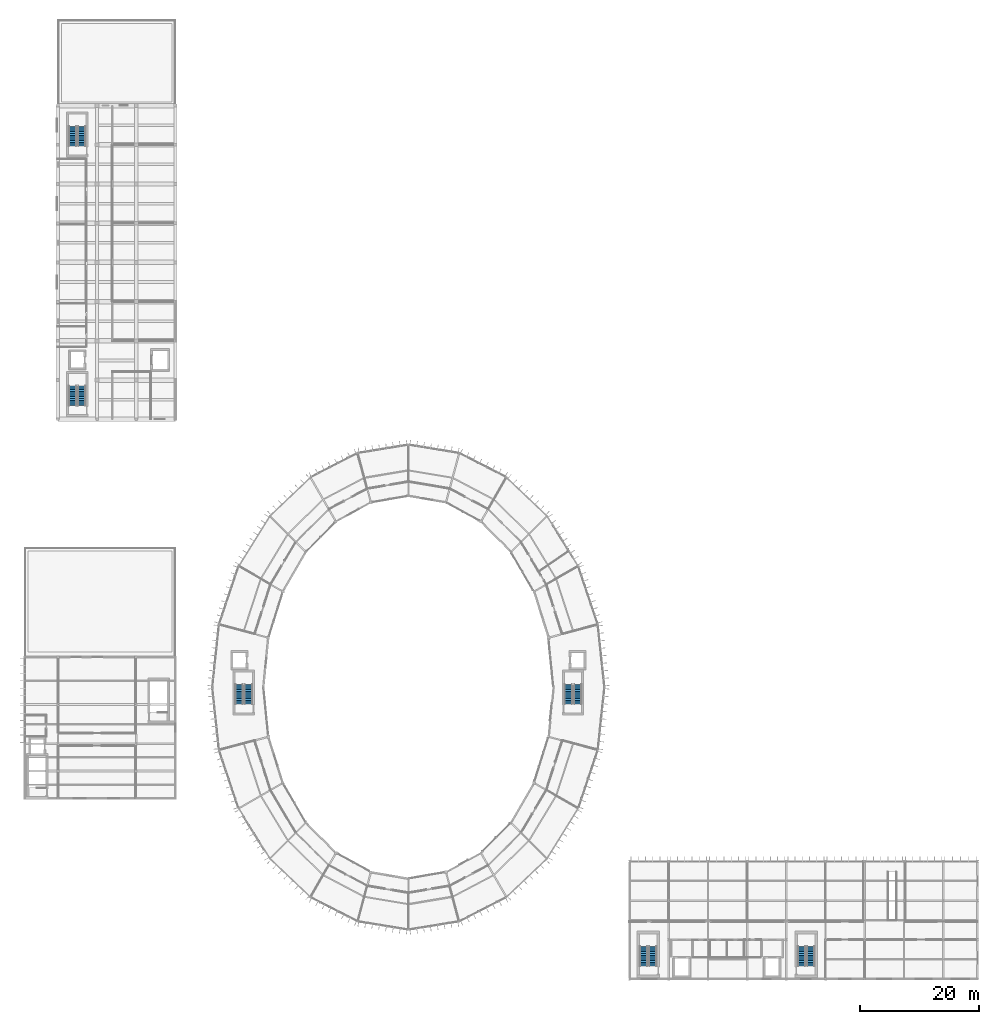
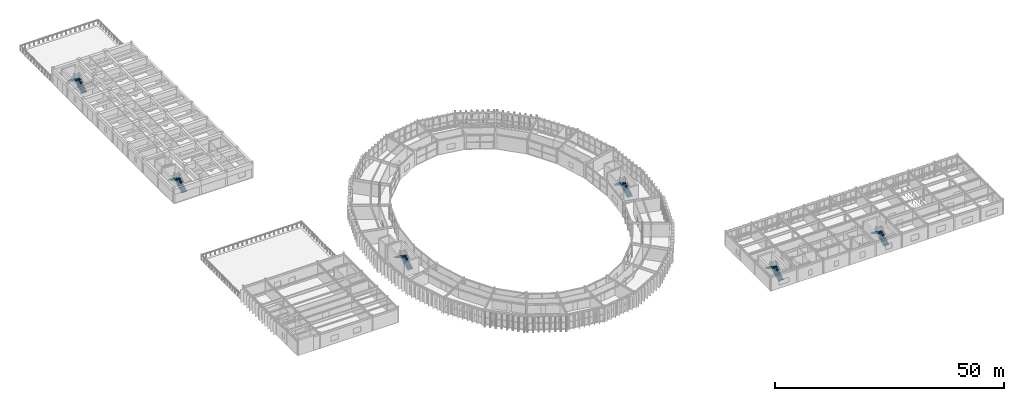
# One storey, part 119 of 130: 12 stair flights, 6 elements without a shape of their own.
"""IFC4 building model written with IfcOpenShell, lengths in metres."""

from ifc_helpers import new_model, si_unit, direction, frame, origin, place, context, subcontext, project, spatial, polyline, outline, extrude, material, type_object, element, aggregate, save


model = new_model("IFC4")

# Units and contexts
model_context = context("Model", 3, precision=1e-05, world=origin(), true_north=direction((0.0, 1.0)))
body_context = subcontext(model_context, "Body", "Model", "MODEL_VIEW")
ifc_project = project(units=[si_unit("LENGTHUNIT", "METRE"), si_unit("AREAUNIT", "SQUARE_METRE"), si_unit("VOLUMEUNIT", "CUBIC_METRE"), si_unit("PLANEANGLEUNIT", "RADIAN"), si_unit("MASSUNIT", "GRAM", prefix="KILO")], contexts=[model_context])

# Site, building, storey
site_placement = place(None, origin())
site = spatial("IfcSite", under=ifc_project, at=site_placement, CompositionType="ELEMENT")
building_placement = place(site_placement, origin())
building = spatial("IfcBuilding", under=site, at=building_placement, Name="Karori Crest Natural Sciences Institute", CompositionType="ELEMENT")
storey_placement = place(building_placement, frame((0.0, 0.0, 17.5)))
storey = spatial("IfcBuildingStorey", under=building, at=storey_placement, Name="L04", CompositionType="ELEMENT", Elevation=17.5)

# Stair, stair flights
ifc_material = material(Name="Concrete 40 MPa", Category="concrete")
stair_type = type_object("IfcStairType", Name="STT-01", PredefinedType="HALF_TURN_STAIR", material=ifc_material)
stair_1_placement = place(storey_placement, origin())
stair_1 = element("IfcStair", 1, at=stair_1_placement, inside=storey, type_object=stair_type, Name="Protected stair ST-01-L04", PredefinedType="HALF_TURN_STAIR")
stair_flight_type = type_object("IfcStairFlightType", Name="SFT-01", PredefinedType="STRAIGHT", material=ifc_material)
stair_flight_1_placement = place(storey_placement, frame((94.875, 47.10009765625, 0.0), z_axis=(0.0, 0.0, 1.0), x_axis=(0.0, 1.0, 0.0)))
stair_flight_1 = element("IfcStairFlight", 2, at=stair_flight_1_placement, type_object=stair_flight_type, Name="ST-01-L04 flight 1", NumberOfRisers=12, NumberOfTreads=11, PredefinedType="STRAIGHT", RiserHeight=0.175, TreadLength=0.3, context=body_context, shape_type="SweptSolid", body=[
    extrude(outline(polyline([(0.0, 0.0), (0.0, 0.175048828125), (0.300048828125, 0.175048828125), (0.300048828125, 0.35009765625), (0.60009765625, 0.35009765625), (0.60009765625, 0.52490234375), (0.89990234375, 0.52490234375), (0.89990234375, 0.699951171875), (1.199951171875, 0.699951171875), (1.199951171875, 0.875), (1.5, 0.875), (1.5, 1.050048828125), (1.800048828125, 1.050048828125), (1.800048828125, 1.22509765625), (2.10009765625, 1.22509765625), (2.10009765625, 1.39990234375), (2.39990234375, 1.39990234375), (2.39990234375, 1.574951171875), (2.699951171875, 1.574951171875), (2.699951171875, 1.75), (3.0, 1.75), (3.0, 1.925048828125), (3.300048828125, 1.925048828125), (3.300048828125, 2.10009765625), (3.300048828125, 1.739990234375), (0.3173828125, 0.0), (0.0, 0.0)])), frame((0.0, 0.675048828125, 0.0), z_axis=(0.0, -1.0, 0.0), x_axis=(1.0, 0.0, 0.0)), (0.0, 0.0, 1.0), 1.35009765625),
])
stair_flight_2_placement = place(storey_placement, frame((93.324951171875, 50.39990234375, 2.10009765625), z_axis=(0.0, 0.0, 1.0), x_axis=(0.0, -1.0, 0.0)))
stair_flight_2 = element("IfcStairFlight", 3, at=stair_flight_2_placement, type_object=stair_flight_type, Name="ST-01-L04 flight 2", NumberOfRisers=12, NumberOfTreads=11, PredefinedType="STRAIGHT", RiserHeight=0.175, TreadLength=0.3, context=body_context, shape_type="SweptSolid", body=[
    extrude(outline(polyline([(0.0, 0.0), (0.0, 0.175048828125), (0.300048828125, 0.175048828125), (0.300048828125, 0.35009765625), (0.60009765625, 0.35009765625), (0.60009765625, 0.52490234375), (0.89990234375, 0.52490234375), (0.89990234375, 0.699951171875), (1.199951171875, 0.699951171875), (1.199951171875, 0.875), (1.5, 0.875), (1.5, 1.050048828125), (1.800048828125, 1.050048828125), (1.800048828125, 1.22509765625), (2.10009765625, 1.22509765625), (2.10009765625, 1.39990234375), (2.39990234375, 1.39990234375), (2.39990234375, 1.574951171875), (2.699951171875, 1.574951171875), (2.699951171875, 1.75), (3.0, 1.75), (3.0, 1.925048828125), (3.300048828125, 1.925048828125), (3.300048828125, 2.10009765625), (3.300048828125, 1.739990234375), (0.3173828125, 0.0), (0.0, 0.0)])), frame((0.0, 0.675048828125, 0.0), z_axis=(0.0, -1.0, 0.0), x_axis=(1.0, 0.0, 0.0)), (0.0, 0.0, 1.0), 1.35009765625),
])
aggregate(stair_1, [stair_flight_1, stair_flight_2])

stair_2_placement = place(storey_placement, origin())
stair_2 = element("IfcStair", 4, at=stair_2_placement, inside=storey, type_object=stair_type, Name="Protected stair ST-02-L04", PredefinedType="HALF_TURN_STAIR")
stair_flight_3_placement = place(storey_placement, frame((39.47509765625, 47.10009765625, 0.0), z_axis=(0.0, 0.0, 1.0), x_axis=(0.0, 1.0, 0.0)))
stair_flight_3 = element("IfcStairFlight", 5, at=stair_flight_3_placement, type_object=stair_flight_type, Name="ST-02-L04 flight 1", NumberOfRisers=12, NumberOfTreads=11, PredefinedType="STRAIGHT", RiserHeight=0.175, TreadLength=0.3, context=body_context, shape_type="SweptSolid", body=[
    extrude(outline(polyline([(0.0, 0.0), (0.0, 0.175048828125), (0.300048828125, 0.175048828125), (0.300048828125, 0.35009765625), (0.60009765625, 0.35009765625), (0.60009765625, 0.52490234375), (0.89990234375, 0.52490234375), (0.89990234375, 0.699951171875), (1.199951171875, 0.699951171875), (1.199951171875, 0.875), (1.5, 0.875), (1.5, 1.050048828125), (1.800048828125, 1.050048828125), (1.800048828125, 1.22509765625), (2.10009765625, 1.22509765625), (2.10009765625, 1.39990234375), (2.39990234375, 1.39990234375), (2.39990234375, 1.574951171875), (2.699951171875, 1.574951171875), (2.699951171875, 1.75), (3.0, 1.75), (3.0, 1.925048828125), (3.300048828125, 1.925048828125), (3.300048828125, 2.10009765625), (3.300048828125, 1.739990234375), (0.3173828125, 0.0), (0.0, 0.0)])), frame((0.0, 0.675048828125, 0.0), z_axis=(0.0, -1.0, 0.0), x_axis=(1.0, 0.0, 0.0)), (0.0, 0.0, 1.0), 1.35009765625),
])
stair_flight_4_placement = place(storey_placement, frame((37.925048828125, 50.39990234375, 2.10009765625), z_axis=(0.0, 0.0, 1.0), x_axis=(0.0, -1.0, 0.0)))
stair_flight_4 = element("IfcStairFlight", 6, at=stair_flight_4_placement, type_object=stair_flight_type, Name="ST-02-L04 flight 2", NumberOfRisers=12, NumberOfTreads=11, PredefinedType="STRAIGHT", RiserHeight=0.175, TreadLength=0.3, context=body_context, shape_type="SweptSolid", body=[
    extrude(outline(polyline([(0.0, 0.0), (0.0, 0.175048828125), (0.300048828125, 0.175048828125), (0.300048828125, 0.35009765625), (0.60009765625, 0.35009765625), (0.60009765625, 0.52490234375), (0.89990234375, 0.52490234375), (0.89990234375, 0.699951171875), (1.199951171875, 0.699951171875), (1.199951171875, 0.875), (1.5, 0.875), (1.5, 1.050048828125), (1.800048828125, 1.050048828125), (1.800048828125, 1.22509765625), (2.10009765625, 1.22509765625), (2.10009765625, 1.39990234375), (2.39990234375, 1.39990234375), (2.39990234375, 1.574951171875), (2.699951171875, 1.574951171875), (2.699951171875, 1.75), (3.0, 1.75), (3.0, 1.925048828125), (3.300048828125, 1.925048828125), (3.300048828125, 2.10009765625), (3.300048828125, 1.739990234375), (0.3173828125, 0.0), (0.0, 0.0)])), frame((0.0, 0.675048828125, 0.0), z_axis=(0.0, -1.0, 0.0), x_axis=(1.0, 0.0, 0.0)), (0.0, 0.0, 1.0), 1.35009765625),
])
aggregate(stair_2, [stair_flight_3, stair_flight_4])

stair_3_placement = place(storey_placement, origin())
stair_3 = element("IfcStair", 7, at=stair_3_placement, inside=storey, type_object=stair_type, Name="Protected stair ST-03-L04", PredefinedType="HALF_TURN_STAIR")
stair_flight_5_placement = place(storey_placement, frame((107.52490234375, 3.0, 0.0), z_axis=(0.0, 0.0, 1.0), x_axis=(0.0, 1.0, 0.0)))
stair_flight_5 = element("IfcStairFlight", 8, at=stair_flight_5_placement, type_object=stair_flight_type, Name="ST-03-L04 flight 1", NumberOfRisers=12, NumberOfTreads=11, PredefinedType="STRAIGHT", RiserHeight=0.175, TreadLength=0.3, context=body_context, shape_type="SweptSolid", body=[
    extrude(outline(polyline([(0.0, 0.0), (0.0, 0.175048828125), (0.300048828125, 0.175048828125), (0.300048828125, 0.35009765625), (0.60009765625, 0.35009765625), (0.60009765625, 0.52490234375), (0.89990234375, 0.52490234375), (0.89990234375, 0.699951171875), (1.199951171875, 0.699951171875), (1.199951171875, 0.875), (1.5, 0.875), (1.5, 1.050048828125), (1.800048828125, 1.050048828125), (1.800048828125, 1.22509765625), (2.10009765625, 1.22509765625), (2.10009765625, 1.39990234375), (2.39990234375, 1.39990234375), (2.39990234375, 1.574951171875), (2.699951171875, 1.574951171875), (2.699951171875, 1.75), (3.0, 1.75), (3.0, 1.925048828125), (3.300048828125, 1.925048828125), (3.300048828125, 2.10009765625), (3.300048828125, 1.739990234375), (0.3173828125, 0.0), (0.0, 0.0)])), frame((0.0, 0.675048828125, 0.0), z_axis=(0.0, -1.0, 0.0), x_axis=(1.0, 0.0, 0.0)), (0.0, 0.0, 1.0), 1.35009765625),
])
stair_flight_6_placement = place(storey_placement, frame((105.97509765625, 6.300048828125, 2.10009765625), z_axis=(0.0, 0.0, 1.0), x_axis=(0.0, -1.0, 0.0)))
stair_flight_6 = element("IfcStairFlight", 9, at=stair_flight_6_placement, type_object=stair_flight_type, Name="ST-03-L04 flight 2", NumberOfRisers=12, NumberOfTreads=11, PredefinedType="STRAIGHT", RiserHeight=0.175, TreadLength=0.3, context=body_context, shape_type="SweptSolid", body=[
    extrude(outline(polyline([(0.0, 0.0), (0.0, 0.175048828125), (0.300048828125, 0.175048828125), (0.300048828125, 0.35009765625), (0.60009765625, 0.35009765625), (0.60009765625, 0.52490234375), (0.89990234375, 0.52490234375), (0.89990234375, 0.699951171875), (1.199951171875, 0.699951171875), (1.199951171875, 0.875), (1.5, 0.875), (1.5, 1.050048828125), (1.800048828125, 1.050048828125), (1.800048828125, 1.22509765625), (2.10009765625, 1.22509765625), (2.10009765625, 1.39990234375), (2.39990234375, 1.39990234375), (2.39990234375, 1.574951171875), (2.699951171875, 1.574951171875), (2.699951171875, 1.75), (3.0, 1.75), (3.0, 1.925048828125), (3.300048828125, 1.925048828125), (3.300048828125, 2.10009765625), (3.300048828125, 1.739990234375), (0.3173828125, 0.0), (0.0, 0.0)])), frame((0.0, 0.675048828125, 0.0), z_axis=(0.0, -1.0, 0.0), x_axis=(1.0, 0.0, 0.0)), (0.0, 0.0, 1.0), 1.35009765625),
])
aggregate(stair_3, [stair_flight_5, stair_flight_6])

stair_4_placement = place(storey_placement, origin())
stair_4 = element("IfcStair", 10, at=stair_4_placement, inside=storey, type_object=stair_type, Name="Protected stair ST-04-L04", PredefinedType="HALF_TURN_STAIR")
stair_flight_7_placement = place(storey_placement, frame((134.125, 3.0, 0.0), z_axis=(0.0, 0.0, 1.0), x_axis=(0.0, 1.0, 0.0)))
stair_flight_7 = element("IfcStairFlight", 11, at=stair_flight_7_placement, type_object=stair_flight_type, Name="ST-04-L04 flight 1", NumberOfRisers=12, NumberOfTreads=11, PredefinedType="STRAIGHT", RiserHeight=0.175, TreadLength=0.3, context=body_context, shape_type="SweptSolid", body=[
    extrude(outline(polyline([(0.0, 0.0), (0.0, 0.175048828125), (0.300048828125, 0.175048828125), (0.300048828125, 0.35009765625), (0.60009765625, 0.35009765625), (0.60009765625, 0.52490234375), (0.89990234375, 0.52490234375), (0.89990234375, 0.699951171875), (1.199951171875, 0.699951171875), (1.199951171875, 0.875), (1.5, 0.875), (1.5, 1.050048828125), (1.800048828125, 1.050048828125), (1.800048828125, 1.22509765625), (2.10009765625, 1.22509765625), (2.10009765625, 1.39990234375), (2.39990234375, 1.39990234375), (2.39990234375, 1.574951171875), (2.699951171875, 1.574951171875), (2.699951171875, 1.75), (3.0, 1.75), (3.0, 1.925048828125), (3.300048828125, 1.925048828125), (3.300048828125, 2.10009765625), (3.300048828125, 1.739990234375), (0.3173828125, 0.0), (0.0, 0.0)])), frame((0.0, 0.675048828125, 0.0), z_axis=(0.0, -1.0, 0.0), x_axis=(1.0, 0.0, 0.0)), (0.0, 0.0, 1.0), 1.35009765625),
])
stair_flight_8_placement = place(storey_placement, frame((132.574951171875, 6.300048828125, 2.10009765625), z_axis=(0.0, 0.0, 1.0), x_axis=(0.0, -1.0, 0.0)))
stair_flight_8 = element("IfcStairFlight", 12, at=stair_flight_8_placement, type_object=stair_flight_type, Name="ST-04-L04 flight 2", NumberOfRisers=12, NumberOfTreads=11, PredefinedType="STRAIGHT", RiserHeight=0.175, TreadLength=0.3, context=body_context, shape_type="SweptSolid", body=[
    extrude(outline(polyline([(0.0, 0.0), (0.0, 0.175048828125), (0.300048828125, 0.175048828125), (0.300048828125, 0.35009765625), (0.60009765625, 0.35009765625), (0.60009765625, 0.52490234375), (0.89990234375, 0.52490234375), (0.89990234375, 0.699951171875), (1.199951171875, 0.699951171875), (1.199951171875, 0.875), (1.5, 0.875), (1.5, 1.050048828125), (1.800048828125, 1.050048828125), (1.800048828125, 1.22509765625), (2.10009765625, 1.22509765625), (2.10009765625, 1.39990234375), (2.39990234375, 1.39990234375), (2.39990234375, 1.574951171875), (2.699951171875, 1.574951171875), (2.699951171875, 1.75), (3.0, 1.75), (3.0, 1.925048828125), (3.300048828125, 1.925048828125), (3.300048828125, 2.10009765625), (3.300048828125, 1.739990234375), (0.3173828125, 0.0), (0.0, 0.0)])), frame((0.0, 0.675048828125, 0.0), z_axis=(0.0, -1.0, 0.0), x_axis=(1.0, 0.0, 0.0)), (0.0, 0.0, 1.0), 1.35009765625),
])
aggregate(stair_4, [stair_flight_7, stair_flight_8])

stair_5_placement = place(storey_placement, origin())
stair_5 = element("IfcStair", 13, at=stair_5_placement, inside=storey, type_object=stair_type, Name="Protected stair ST-05-L04", PredefinedType="HALF_TURN_STAIR")
stair_flight_9_placement = place(storey_placement, frame((11.425048828125, 97.300048828125, 0.0), z_axis=(0.0, 0.0, 1.0), x_axis=(0.0, 1.0, 0.0)))
stair_flight_9 = element("IfcStairFlight", 14, at=stair_flight_9_placement, type_object=stair_flight_type, Name="ST-05-L04 flight 1", NumberOfRisers=12, NumberOfTreads=11, PredefinedType="STRAIGHT", RiserHeight=0.175, TreadLength=0.3, context=body_context, shape_type="SweptSolid", body=[
    extrude(outline(polyline([(0.0, 0.0), (0.0, 0.175048828125), (0.300048828125, 0.175048828125), (0.300048828125, 0.35009765625), (0.60009765625, 0.35009765625), (0.60009765625, 0.52490234375), (0.89990234375, 0.52490234375), (0.89990234375, 0.699951171875), (1.199951171875, 0.699951171875), (1.199951171875, 0.875), (1.5, 0.875), (1.5, 1.050048828125), (1.800048828125, 1.050048828125), (1.800048828125, 1.22509765625), (2.10009765625, 1.22509765625), (2.10009765625, 1.39990234375), (2.39990234375, 1.39990234375), (2.39990234375, 1.574951171875), (2.699951171875, 1.574951171875), (2.699951171875, 1.75), (3.0, 1.75), (3.0, 1.925048828125), (3.300048828125, 1.925048828125), (3.300048828125, 2.10009765625), (3.300048828125, 1.739990234375), (0.3173828125, 0.0), (0.0, 0.0)])), frame((0.0, 0.675048828125, 0.0), z_axis=(0.0, -1.0, 0.0), x_axis=(1.0, 0.0, 0.0)), (0.0, 0.0, 1.0), 1.35009765625),
])
stair_flight_10_placement = place(storey_placement, frame((9.875, 100.60009765625, 2.10009765625), z_axis=(0.0, 0.0, 1.0), x_axis=(0.0, -1.0, 0.0)))
stair_flight_10 = element("IfcStairFlight", 15, at=stair_flight_10_placement, type_object=stair_flight_type, Name="ST-05-L04 flight 2", NumberOfRisers=12, NumberOfTreads=11, PredefinedType="STRAIGHT", RiserHeight=0.175, TreadLength=0.3, context=body_context, shape_type="SweptSolid", body=[
    extrude(outline(polyline([(0.0, 0.0), (0.0, 0.175048828125), (0.300048828125, 0.175048828125), (0.300048828125, 0.35009765625), (0.60009765625, 0.35009765625), (0.60009765625, 0.52490234375), (0.89990234375, 0.52490234375), (0.89990234375, 0.699951171875), (1.199951171875, 0.699951171875), (1.199951171875, 0.875), (1.5, 0.875), (1.5, 1.050048828125), (1.800048828125, 1.050048828125), (1.800048828125, 1.22509765625), (2.10009765625, 1.22509765625), (2.10009765625, 1.39990234375), (2.39990234375, 1.39990234375), (2.39990234375, 1.574951171875), (2.699951171875, 1.574951171875), (2.699951171875, 1.75), (3.0, 1.75), (3.0, 1.925048828125), (3.300048828125, 1.925048828125), (3.300048828125, 2.10009765625), (3.300048828125, 1.739990234375), (0.3173828125, 0.0), (0.0, 0.0)])), frame((0.0, 0.675048828125, 0.0), z_axis=(0.0, -1.0, 0.0), x_axis=(1.0, 0.0, 0.0)), (0.0, 0.0, 1.0), 1.35009765625),
])
aggregate(stair_5, [stair_flight_9, stair_flight_10])

stair_6_placement = place(storey_placement, origin())
stair_6 = element("IfcStair", 16, at=stair_6_placement, inside=storey, type_object=stair_type, Name="Protected stair ST-06-L04", PredefinedType="HALF_TURN_STAIR")
stair_flight_11_placement = place(storey_placement, frame((11.425048828125, 141.0, 0.0), z_axis=(0.0, 0.0, 1.0), x_axis=(0.0, 1.0, 0.0)))
stair_flight_11 = element("IfcStairFlight", 17, at=stair_flight_11_placement, type_object=stair_flight_type, Name="ST-06-L04 flight 1", NumberOfRisers=12, NumberOfTreads=11, PredefinedType="STRAIGHT", RiserHeight=0.175, TreadLength=0.3, context=body_context, shape_type="SweptSolid", body=[
    extrude(outline(polyline([(0.0, 0.0), (0.0, 0.175048828125), (0.300048828125, 0.175048828125), (0.300048828125, 0.35009765625), (0.60009765625, 0.35009765625), (0.60009765625, 0.52490234375), (0.89990234375, 0.52490234375), (0.89990234375, 0.699951171875), (1.199951171875, 0.699951171875), (1.199951171875, 0.875), (1.5, 0.875), (1.5, 1.050048828125), (1.800048828125, 1.050048828125), (1.800048828125, 1.22509765625), (2.10009765625, 1.22509765625), (2.10009765625, 1.39990234375), (2.39990234375, 1.39990234375), (2.39990234375, 1.574951171875), (2.699951171875, 1.574951171875), (2.699951171875, 1.75), (3.0, 1.75), (3.0, 1.925048828125), (3.300048828125, 1.925048828125), (3.300048828125, 2.10009765625), (3.300048828125, 1.739990234375), (0.3173828125, 0.0), (0.0, 0.0)])), frame((0.0, 0.675048828125, 0.0), z_axis=(0.0, -1.0, 0.0), x_axis=(1.0, 0.0, 0.0)), (0.0, 0.0, 1.0), 1.35009765625),
])
stair_flight_12_placement = place(storey_placement, frame((9.875, 144.300048828125, 2.10009765625), z_axis=(0.0, 0.0, 1.0), x_axis=(0.0, -1.0, 0.0)))
stair_flight_12 = element("IfcStairFlight", 18, at=stair_flight_12_placement, type_object=stair_flight_type, Name="ST-06-L04 flight 2", NumberOfRisers=12, NumberOfTreads=11, PredefinedType="STRAIGHT", RiserHeight=0.175, TreadLength=0.3, context=body_context, shape_type="SweptSolid", body=[
    extrude(outline(polyline([(0.0, 0.0), (0.0, 0.175048828125), (0.300048828125, 0.175048828125), (0.300048828125, 0.35009765625), (0.60009765625, 0.35009765625), (0.60009765625, 0.52490234375), (0.89990234375, 0.52490234375), (0.89990234375, 0.699951171875), (1.199951171875, 0.699951171875), (1.199951171875, 0.875), (1.5, 0.875), (1.5, 1.050048828125), (1.800048828125, 1.050048828125), (1.800048828125, 1.22509765625), (2.10009765625, 1.22509765625), (2.10009765625, 1.39990234375), (2.39990234375, 1.39990234375), (2.39990234375, 1.574951171875), (2.699951171875, 1.574951171875), (2.699951171875, 1.75), (3.0, 1.75), (3.0, 1.925048828125), (3.300048828125, 1.925048828125), (3.300048828125, 2.10009765625), (3.300048828125, 1.739990234375), (0.3173828125, 0.0), (0.0, 0.0)])), frame((0.0, 0.675048828125, 0.0), z_axis=(0.0, -1.0, 0.0), x_axis=(1.0, 0.0, 0.0)), (0.0, 0.0, 1.0), 1.35009765625),
])
aggregate(stair_6, [stair_flight_11, stair_flight_12])

save(model, "model.ifc")
